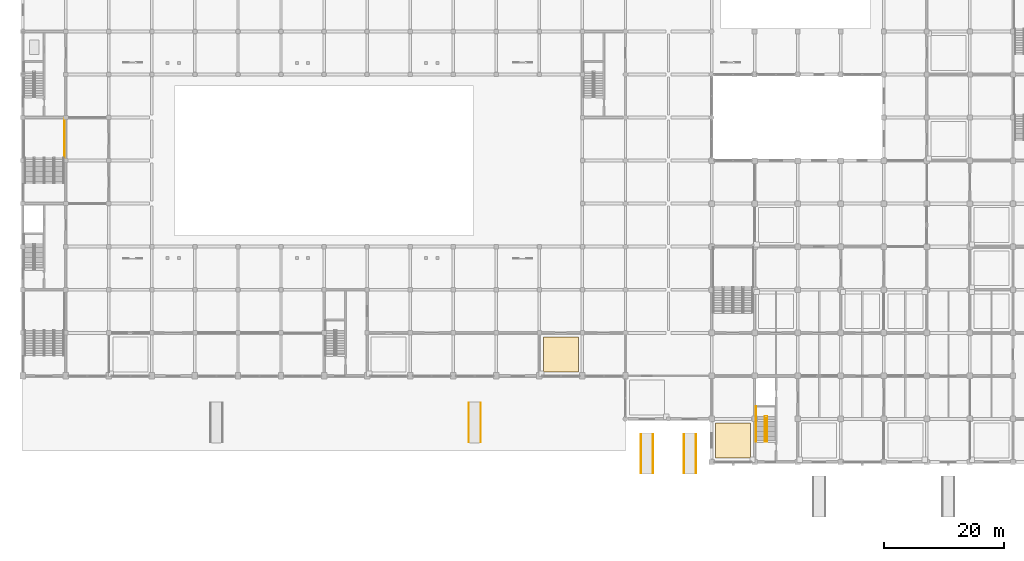
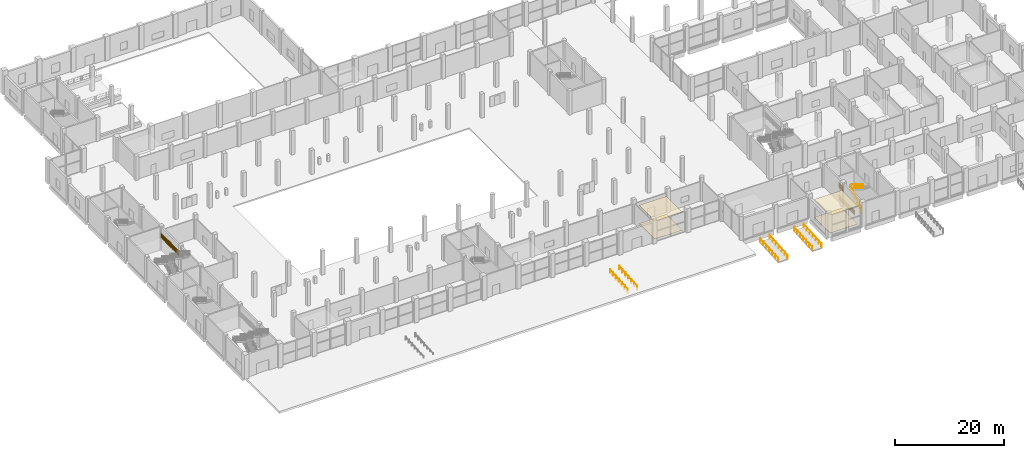
# One storey, part 60 of 70: 11 railings, 4 coverings.
"""IFC4 building model written with IfcOpenShell, lengths in metres."""

import ifcopenshell
import ifcopenshell.guid

model = None  # the IFC model being written
_history = None  # IfcOwnerHistory: only IFC2X3 demands one
_inside = {}  # id of a spatial element -> (the spatial element, [elements in it])
_under = {}  # id of a project, library or spatial element -> (it, [spatial elements below it])
_declared = {}  # id of a project -> (the project, [libraries it declares])
_typed = {}  # id of a type object -> (the type object, [elements of that type])
_made_of = {}  # id of a material, layer set ... -> (it, [elements and type objects made of it])


def new_model(schema):
    """Start an empty IFC model of exactly this schema.

    Asked for "IFC4X3", IfcOpenShell would pick the latest addendum, in which some entities
    have other attributes; the version numbers below select the first issue.
    IFC2X3 requires an IfcOwnerHistory on every rooted entity: one is made here for all.
    """
    global model, _history
    if schema == "IFC4X3":
        model = ifcopenshell.file(schema_version=(4, 3, 0, 0))
    else:
        model = ifcopenshell.file(schema=schema)
    _inside.clear()
    _under.clear()
    _declared.clear()
    _typed.clear()
    _made_of.clear()
    _history = None
    if model.schema == "IFC2X3":
        org = make("IfcOrganization", Name="unknown")
        user = make(
            "IfcPersonAndOrganization",
            ThePerson=make("IfcPerson", FamilyName="unknown"),
            TheOrganization=org,
        )
        app = make(
            "IfcApplication",
            ApplicationDeveloper=org,
            Version="unknown",
            ApplicationFullName="unknown",
            ApplicationIdentifier="unknown",
        )
        _history = make(
            "IfcOwnerHistory",
            OwningUser=user,
            OwningApplication=app,
            ChangeAction="ADDED",
            CreationDate=0,
        )
    return model


def make(cls, **values):
    """One entity of the class cls with the attributes given. An attribute that is None is left unset."""
    return model.create_entity(
        cls, **{name: value for name, value in values.items() if value is not None}
    )


def rooted(cls, **values):
    """An entity with a GlobalId (a new one), such as an element, a storey or a relation."""
    return make(cls, GlobalId=ifcopenshell.guid.new(), OwnerHistory=_history, **values)


def si_unit(unit_type, name, prefix=None):
    """IfcSIUnit, for example si_unit("LENGTHUNIT", "METRE", prefix="MILLI")."""
    return make("IfcSIUnit", UnitType=unit_type, Prefix=prefix, Name=name)


def assignment(units):
    """IfcUnitAssignment: the units of a project."""
    return None if units is None else make("IfcUnitAssignment", Units=units)


def point(xyz):
    """IfcCartesianPoint."""
    return None if xyz is None else make("IfcCartesianPoint", Coordinates=xyz)


def direction(xyz):
    """IfcDirection."""
    return None if xyz is None else make("IfcDirection", DirectionRatios=xyz)


def frame(location, z_axis=None, x_axis=None):
    """IfcAxis2Placement3D, a coordinate frame: its origin and axes. An axis left out is left unset."""
    return make(
        "IfcAxis2Placement3D",
        Location=point(location),
        Axis=direction(z_axis),
        RefDirection=direction(x_axis),
    )


def frame_2d(location, x_axis=None):
    """IfcAxis2Placement2D, a coordinate frame in the plane: its origin and x axis."""
    return make(
        "IfcAxis2Placement2D", Location=point(location), RefDirection=direction(x_axis)
    )


def origin():
    """The frame at (0, 0, 0) with its axes left unset."""
    return frame((0.0, 0.0, 0.0))


def origin_2d():
    """The frame at (0, 0) in the plane with its x axis left unset."""
    return frame_2d((0.0, 0.0))


def place(relative_to, where):
    """IfcLocalPlacement: puts the frame where relative to a parent placement (None: the world)."""
    return make(
        "IfcLocalPlacement", PlacementRelTo=relative_to, RelativePlacement=where
    )


def context(
    kind, dimensions, precision=None, world=None, true_north=None, identifier=None
):
    """IfcGeometricRepresentationContext, for example the 3D "Model" context."""
    return make(
        "IfcGeometricRepresentationContext",
        ContextIdentifier=identifier,
        ContextType=kind,
        CoordinateSpaceDimension=dimensions,
        Precision=precision,
        WorldCoordinateSystem=world,
        TrueNorth=true_north,
    )


def subcontext(parent, identifier, kind, view, scale=None):
    """IfcGeometricRepresentationSubContext, for example "Body" below "Model"."""
    return make(
        "IfcGeometricRepresentationSubContext",
        ContextIdentifier=identifier,
        ContextType=kind,
        ParentContext=parent,
        TargetScale=scale,
        TargetView=view,
    )


def project(units=None, contexts=None):
    """IfcProject with its units and contexts."""
    return rooted(
        "IfcProject",
        Name="project",
        RepresentationContexts=contexts,
        UnitsInContext=assignment(units),
    )


def spatial(cls, under=None, at=None, **own):
    """A site, building, storey or space (cls), placed at a placement, below another one or the project."""
    s = rooted(cls, ObjectPlacement=at, **own)
    if under is not None:
        _under.setdefault(under.id(), (under, []))[1].append(s)
    return s


def polyline(points):
    """IfcPolyline through the points."""
    return make("IfcPolyline", Points=[point(p) for p in points])


def profile(cls, at=None, kind="AREA", **sizes):
    """A parametric profile (cls). Its sizes go by their IFC names, for example OverallWidth=200.0."""
    return make(cls, ProfileType=kind, Position=at, **sizes)


def circle(**sizes):
    """IfcCircleProfileDef."""
    return profile("IfcCircleProfileDef", **sizes)


def outline(outer, holes=None, kind="AREA"):
    """IfcArbitraryClosedProfileDef: a profile drawn as a closed curve; with holes, ...WithVoids."""
    if holes is None:
        return make("IfcArbitraryClosedProfileDef", ProfileType=kind, OuterCurve=outer)
    return make(
        "IfcArbitraryProfileDefWithVoids",
        ProfileType=kind,
        OuterCurve=outer,
        InnerCurves=holes,
    )


def extrude(swept, where, along, depth):
    """IfcExtrudedAreaSolid: the profile swept, set in the frame where, extruded along a direction by depth."""
    return make(
        "IfcExtrudedAreaSolid",
        SweptArea=swept,
        Position=where,
        ExtrudedDirection=direction(along),
        Depth=depth,
    )


def shape(context_of_items, identifier, shape_type, items):
    """IfcShapeRepresentation: the items that make up one representation, for example the "Body"."""
    return make(
        "IfcShapeRepresentation",
        ContextOfItems=context_of_items,
        RepresentationIdentifier=identifier,
        RepresentationType=shape_type,
        Items=items,
    )


def material(Name=None, Category=None):
    """IfcMaterial."""
    return make("IfcMaterial", Name=Name, Category=Category)


def layer(
    of_material, thickness, ventilated=None, Name=None, Category=None, Priority=None
):
    """IfcMaterialLayer: one layer of a wall or slab, of a material (None: an air gap)."""
    return make(
        "IfcMaterialLayer",
        Material=of_material,
        LayerThickness=thickness,
        IsVentilated=ventilated,
        Name=Name,
        Category=Category,
        Priority=Priority,
    )


def layer_set(layers, Name=None):
    """IfcMaterialLayerSet."""
    return make("IfcMaterialLayerSet", MaterialLayers=layers, LayerSetName=Name)


def made_of(thing, what):
    """Note that an element or type object is made of a material, layer set ...; save() writes the relation."""
    if what is not None:
        _made_of.setdefault(what.id(), (what, []))[1].append(thing)
    return thing


def type_object(cls, material=None, **own):
    """A type object (cls), such as IfcWallType, which elements share."""
    return made_of(rooted(cls, **own), material)


def element(
    cls,
    number,
    at=None,
    inside=None,
    cuts=None,
    type_object=None,
    material=None,
    context=None,
    identifier="Body",
    shape_type=None,
    held_by="IfcProductDefinitionShape",
    body=None,
    shapes=None,
    **own,
):
    """One element of the class cls, such as IfcWall. Its Tag is "e" and its number.

    at: its placement. inside: the storey or other place that contains it. cuts: it is an
    opening in that element (IfcRelVoidsElement). A single representation is given by context,
    identifier, shape_type and body (its items); several are given by shapes. held_by: the class
    of the entity that holds the representations. save() writes the other relations.
    """
    e = rooted(cls, Tag="e%d" % number, ObjectPlacement=at, **own)
    if body is not None:
        shapes = [shape(context, identifier, shape_type, body)]
    if shapes is not None:
        e.Representation = make(held_by, Representations=shapes)
    if inside is not None:
        _inside.setdefault(inside.id(), (inside, []))[1].append(e)
    if cuts is not None:
        rooted(
            "IfcRelVoidsElement", RelatingBuildingElement=cuts, RelatedOpeningElement=e
        )
    if type_object is not None:
        _typed.setdefault(type_object.id(), (type_object, []))[1].append(e)
    return made_of(e, material)


def aggregate(whole, parts):
    """IfcRelAggregates: a whole, such as a stair, and the parts it consists of."""
    return rooted("IfcRelAggregates", RelatingObject=whole, RelatedObjects=parts)


def save(model, path):
    """Write the relations noted so far, then the file.

    IfcRelAggregates (storeys below a building ...), IfcRelContainedInSpatialStructure (elements
    in a storey), IfcRelDefinesByType, IfcRelAssociatesMaterial and IfcRelDeclares: one each for
    every whole, place, type object, material and project.
    """
    for whole, parts in _under.values():
        aggregate(whole, parts)
    for where, things in _inside.values():
        rooted(
            "IfcRelContainedInSpatialStructure",
            RelatedElements=things,
            RelatingStructure=where,
        )
    for kind, things in _typed.values():
        rooted("IfcRelDefinesByType", RelatedObjects=things, RelatingType=kind)
    for what, things in _made_of.values():
        rooted("IfcRelAssociatesMaterial", RelatedObjects=things, RelatingMaterial=what)
    for by, libraries in _declared.values():
        rooted("IfcRelDeclares", RelatingContext=by, RelatedDefinitions=libraries)
    model.write(path)


model = new_model("IFC4")

# Units and contexts
model_context = context("Model", 3, precision=1e-05, world=origin(), true_north=direction((0.0, 1.0)))
body_context = subcontext(model_context, "Body", "Model", "MODEL_VIEW")
ifc_project = project(units=[si_unit("LENGTHUNIT", "METRE"), si_unit("AREAUNIT", "SQUARE_METRE"), si_unit("VOLUMEUNIT", "CUBIC_METRE"), si_unit("PLANEANGLEUNIT", "RADIAN"), si_unit("MASSUNIT", "GRAM", prefix="KILO")], contexts=[model_context])

# Site, building, storey
site_placement = place(None, origin())
site = spatial("IfcSite", under=ifc_project, at=site_placement, CompositionType="ELEMENT")
building_placement = place(site_placement, origin())
building = spatial("IfcBuilding", under=site, at=building_placement, Name="Vesperath Aquatics Centre", CompositionType="ELEMENT")
storey_placement = place(building_placement, origin())
storey = spatial("IfcBuildingStorey", under=building, at=storey_placement, Name="L00", CompositionType="ELEMENT", Elevation=0.0)

# Coverings
ifc_material_1 = material(Name="Perforated moisture-resistant acoustic mineral-fibre ceiling", Category="gypsum")
ifc_layer_1 = layer(ifc_material_1, 0.044921875)
ifc_layer_set_1 = layer_set([ifc_layer_1], Name="Perforated moisture-resistant acoustic mineral-fibre ceiling")
covering_type_1 = type_object("IfcCoveringType", Name="CV-CLG01", PredefinedType="CEILING", material=ifc_layer_set_1)
covering_1_placement = place(storey_placement, frame((0.0, 0.0, 4.02490234375)))
element("IfcCovering", 1, at=covering_1_placement, inside=storey, type_object=covering_type_1, Name="Acoustic Suspended Ceiling CLG1 L00_FIRST_AID", PredefinedType="CEILING", context=body_context, shape_type="SweptSolid", body=[
    extrude(outline(polyline([(87.080078125, 15.080078125), (92.919921875, 15.080078125), (92.919921875, 20.919921875), (87.080078125, 20.919921875), (87.080078125, 15.080078125)])), origin(), (0.0, 0.0, 1.0), 0.045166015625),
])
covering_2_placement = place(storey_placement, frame((0.0, 0.0, 4.02490234375)))
element("IfcCovering", 2, at=covering_2_placement, inside=storey, type_object=covering_type_1, Name="Acoustic Suspended Ceiling CLG1 L00_CAFE", PredefinedType="CEILING", context=body_context, shape_type="SweptSolid", body=[
    extrude(outline(polyline([(115.8798828125, 0.679931640625), (121.719970703125, 0.679931640625), (121.719970703125, 6.52001953125), (115.8798828125, 6.52001953125), (115.8798828125, 0.679931640625)])), origin(), (0.0, 0.0, 1.0), 0.045166015625),
])
ifc_material_2 = material(Name="Slip-resistant vitrified ceramic and terrazzo flooring", Category="ceramic")
ifc_layer_2 = layer(ifc_material_2, 0.030029296875)
ifc_layer_set_2 = layer_set([ifc_layer_2], Name="Slip-resistant vitrified ceramic and terrazzo flooring")
covering_type_2 = type_object("IfcCoveringType", Name="CV-FLR01", PredefinedType="FLOORING", material=ifc_layer_set_2)
covering_3_placement = place(storey_placement, origin())
element("IfcCovering", 3, at=covering_3_placement, inside=storey, type_object=covering_type_2, Name="Slip-Resistant Floor Finish FLR1 L00_FIRST_AID", PredefinedType="FLOORING", context=body_context, shape_type="SweptSolid", body=[
    extrude(outline(polyline([(87.080078125, 15.080078125), (92.919921875, 15.080078125), (92.919921875, 20.919921875), (87.080078125, 20.919921875), (87.080078125, 15.080078125)])), origin(), (0.0, 0.0, 1.0), 0.030029296875),
])
covering_4_placement = place(storey_placement, origin())
element("IfcCovering", 4, at=covering_4_placement, inside=storey, type_object=covering_type_2, Name="Slip-Resistant Floor Finish FLR1 L00_CAFE", PredefinedType="FLOORING", context=body_context, shape_type="SweptSolid", body=[
    extrude(outline(polyline([(115.8798828125, 0.679931640625), (121.719970703125, 0.679931640625), (121.719970703125, 6.52001953125), (115.8798828125, 6.52001953125), (115.8798828125, 0.679931640625)])), origin(), (0.0, 0.0, 1.0), 0.030029296875),
])

# Railings
ifc_material_3 = material(Name="Powder-coated galvanized steel safety guard", Category="steel")
railing_type_1 = type_object("IfcRailingType", Name="RL-GRD01", PredefinedType="GUARDRAIL", material=ifc_material_3)
railing_1_placement = place(storey_placement, frame((122.6201171875, 7.659912109375, 2.699951171875)))
element("IfcRailing", 5, at=railing_1_placement, inside=storey, type_object=railing_type_1, Name="Stair ST5 Half-Landing Wall Guard GR02 L00", PredefinedType="GUARDRAIL", context=body_context, shape_type="SweptSolid", body=[
    extrude(circle(Radius=0.02392578125, at=origin_2d()), frame((0.0, 0.0, 1.0859375), z_axis=(0.0, 1.0, 0.0), x_axis=(-1.0, 0.0, 0.0)), (0.0, 0.0, 1.0), 1.60009765625),
    extrude(circle(Radius=0.01611328125, at=origin_2d()), frame((0.0, 0.0, 0.10009765625), z_axis=(0.0, 1.0, 0.0), x_axis=(-1.0, 0.0, 0.0)), (0.0, 0.0, 1.0), 1.60009765625),
    extrude(circle(Radius=0.01611328125, at=origin_2d()), frame((0.0, 0.0, 0.610595703125), z_axis=(0.0, 1.0, 0.0), x_axis=(-1.0, 0.0, 0.0)), (0.0, 0.0, 1.0), 1.60009765625),
    extrude(circle(Radius=0.009033203125, at=origin_2d()), frame((0.0, 0.106689453125, 0.10009765625)), (0.0, 0.0, 1.0), 0.9619140625),
    extrude(circle(Radius=0.009033203125, at=origin_2d()), frame((0.0, 0.21337890625, 0.10009765625)), (0.0, 0.0, 1.0), 0.9619140625),
    extrude(circle(Radius=0.009033203125, at=origin_2d()), frame((0.0, 0.320068359375, 0.10009765625)), (0.0, 0.0, 1.0), 0.9619140625),
    extrude(circle(Radius=0.009033203125, at=origin_2d()), frame((0.0, 0.4267578125, 0.10009765625)), (0.0, 0.0, 1.0), 0.9619140625),
    extrude(circle(Radius=0.009033203125, at=origin_2d()), frame((0.0, 0.533447265625, 0.10009765625)), (0.0, 0.0, 1.0), 0.9619140625),
    extrude(circle(Radius=0.009033203125, at=origin_2d()), frame((0.0, 0.64013671875, 0.10009765625)), (0.0, 0.0, 1.0), 0.9619140625),
    extrude(circle(Radius=0.009033203125, at=origin_2d()), frame((0.0, 0.746826171875, 0.10009765625)), (0.0, 0.0, 1.0), 0.9619140625),
    extrude(circle(Radius=0.009033203125, at=origin_2d()), frame((0.0, 0.853271484375, 0.10009765625)), (0.0, 0.0, 1.0), 0.9619140625),
    extrude(circle(Radius=0.009033203125, at=origin_2d()), frame((0.0, 0.9599609375, 0.10009765625)), (0.0, 0.0, 1.0), 0.9619140625),
    extrude(circle(Radius=0.009033203125, at=origin_2d()), frame((0.0, 1.066650390625, 0.10009765625)), (0.0, 0.0, 1.0), 0.9619140625),
    extrude(circle(Radius=0.009033203125, at=origin_2d()), frame((0.0, 1.17333984375, 0.10009765625)), (0.0, 0.0, 1.0), 0.9619140625),
    extrude(circle(Radius=0.009033203125, at=origin_2d()), frame((0.0, 1.280029296875, 0.10009765625)), (0.0, 0.0, 1.0), 0.9619140625),
    extrude(circle(Radius=0.009033203125, at=origin_2d()), frame((0.0, 1.38671875, 0.10009765625)), (0.0, 0.0, 1.0), 0.9619140625),
    extrude(circle(Radius=0.009033203125, at=origin_2d()), frame((0.0, 1.493408203125, 0.10009765625)), (0.0, 0.0, 1.0), 0.9619140625),
    extrude(circle(Radius=0.02197265625, at=origin_2d()), origin(), (0.0, 0.0, 1.0), 1.0859375),
    extrude(circle(Radius=0.02197265625, at=origin_2d()), frame((0.0, 0.800048828125, 0.0)), (0.0, 0.0, 1.0), 1.0859375),
    extrude(circle(Radius=0.02197265625, at=origin_2d()), frame((0.0, 1.60009765625, 0.0)), (0.0, 0.0, 1.0), 1.0859375),
])
railing_2_placement = place(storey_placement, frame((122.6201171875, 3.39990234375, 0.0)))
element("IfcRailing", 6, at=railing_2_placement, inside=storey, type_object=railing_type_1, Name="Stair ST5 Shaft Side Guard GR02 L00", PredefinedType="GUARDRAIL", context=body_context, shape_type="SweptSolid", body=[
    extrude(circle(Radius=0.02392578125, at=origin_2d()), frame((0.0, 0.0, 1.0859375), z_axis=(0.0, 1.0, 0.0), x_axis=(-1.0, 0.0, 0.0)), (0.0, 0.0, 1.0), 5.840087890625),
    extrude(circle(Radius=0.01611328125, at=origin_2d()), frame((0.0, 0.0, 0.10009765625), z_axis=(0.0, 1.0, 0.0), x_axis=(-1.0, 0.0, 0.0)), (0.0, 0.0, 1.0), 5.840087890625),
    extrude(circle(Radius=0.01611328125, at=origin_2d()), frame((0.0, 0.0, 0.610595703125), z_axis=(0.0, 1.0, 0.0), x_axis=(-1.0, 0.0, 0.0)), (0.0, 0.0, 1.0), 5.840087890625),
    extrude(circle(Radius=0.009033203125, at=origin_2d()), frame((0.0, 0.108154296875, 0.10009765625)), (0.0, 0.0, 1.0), 0.9619140625),
    extrude(circle(Radius=0.009033203125, at=origin_2d()), frame((0.0, 0.324462890625, 0.10009765625)), (0.0, 0.0, 1.0), 0.9619140625),
    extrude(circle(Radius=0.009033203125, at=origin_2d()), frame((0.0, 0.540771484375, 0.10009765625)), (0.0, 0.0, 1.0), 0.9619140625),
    extrude(circle(Radius=0.009033203125, at=origin_2d()), frame((0.0, 0.757080078125, 0.10009765625)), (0.0, 0.0, 1.0), 0.9619140625),
    extrude(circle(Radius=0.009033203125, at=origin_2d()), frame((0.0, 0.973388671875, 0.10009765625)), (0.0, 0.0, 1.0), 0.9619140625),
    extrude(circle(Radius=0.009033203125, at=origin_2d()), frame((0.0, 1.189697265625, 0.10009765625)), (0.0, 0.0, 1.0), 0.9619140625),
    extrude(circle(Radius=0.009033203125, at=origin_2d()), frame((0.0, 1.406005859375, 0.10009765625)), (0.0, 0.0, 1.0), 0.9619140625),
    extrude(circle(Radius=0.009033203125, at=origin_2d()), frame((0.0, 1.622314453125, 0.10009765625)), (0.0, 0.0, 1.0), 0.9619140625),
    extrude(circle(Radius=0.009033203125, at=origin_2d()), frame((0.0, 1.838623046875, 0.10009765625)), (0.0, 0.0, 1.0), 0.9619140625),
    extrude(circle(Radius=0.009033203125, at=origin_2d()), frame((0.0, 2.054931640625, 0.10009765625)), (0.0, 0.0, 1.0), 0.9619140625),
    extrude(circle(Radius=0.009033203125, at=origin_2d()), frame((0.0, 2.271240234375, 0.10009765625)), (0.0, 0.0, 1.0), 0.9619140625),
    extrude(circle(Radius=0.009033203125, at=origin_2d()), frame((0.0, 2.487548828125, 0.10009765625)), (0.0, 0.0, 1.0), 0.9619140625),
    extrude(circle(Radius=0.009033203125, at=origin_2d()), frame((0.0, 2.703857421875, 0.10009765625)), (0.0, 0.0, 1.0), 0.9619140625),
    extrude(circle(Radius=0.009033203125, at=origin_2d()), frame((0.0, 2.919921875, 0.10009765625)), (0.0, 0.0, 1.0), 0.9619140625),
    extrude(circle(Radius=0.009033203125, at=origin_2d()), frame((0.0, 3.13623046875, 0.10009765625)), (0.0, 0.0, 1.0), 0.9619140625),
    extrude(circle(Radius=0.009033203125, at=origin_2d()), frame((0.0, 3.3525390625, 0.10009765625)), (0.0, 0.0, 1.0), 0.9619140625),
    extrude(circle(Radius=0.009033203125, at=origin_2d()), frame((0.0, 3.56884765625, 0.10009765625)), (0.0, 0.0, 1.0), 0.9619140625),
    extrude(circle(Radius=0.009033203125, at=origin_2d()), frame((0.0, 3.78515625, 0.10009765625)), (0.0, 0.0, 1.0), 0.9619140625),
    extrude(circle(Radius=0.009033203125, at=origin_2d()), frame((0.0, 4.00146484375, 0.10009765625)), (0.0, 0.0, 1.0), 0.9619140625),
    extrude(circle(Radius=0.009033203125, at=origin_2d()), frame((0.0, 4.2177734375, 0.10009765625)), (0.0, 0.0, 1.0), 0.9619140625),
    extrude(circle(Radius=0.009033203125, at=origin_2d()), frame((0.0, 4.43408203125, 0.10009765625)), (0.0, 0.0, 1.0), 0.9619140625),
    extrude(circle(Radius=0.009033203125, at=origin_2d()), frame((0.0, 4.650390625, 0.10009765625)), (0.0, 0.0, 1.0), 0.9619140625),
    extrude(circle(Radius=0.009033203125, at=origin_2d()), frame((0.0, 4.86669921875, 0.10009765625)), (0.0, 0.0, 1.0), 0.9619140625),
    extrude(circle(Radius=0.009033203125, at=origin_2d()), frame((0.0, 5.0830078125, 0.10009765625)), (0.0, 0.0, 1.0), 0.9619140625),
    extrude(circle(Radius=0.009033203125, at=origin_2d()), frame((0.0, 5.29931640625, 0.10009765625)), (0.0, 0.0, 1.0), 0.9619140625),
    extrude(circle(Radius=0.009033203125, at=origin_2d()), frame((0.0, 5.515625, 0.10009765625)), (0.0, 0.0, 1.0), 0.9619140625),
    extrude(circle(Radius=0.009033203125, at=origin_2d()), frame((0.0, 5.73193359375, 0.10009765625)), (0.0, 0.0, 1.0), 0.9619140625),
    extrude(circle(Radius=0.02197265625, at=origin_2d()), origin(), (0.0, 0.0, 1.0), 1.0859375),
    extrude(circle(Radius=0.02197265625, at=origin_2d()), frame((0.0, 1.16796875, 0.0)), (0.0, 0.0, 1.0), 1.0859375),
    extrude(circle(Radius=0.02197265625, at=origin_2d()), frame((0.0, 2.3359375, 0.0)), (0.0, 0.0, 1.0), 1.0859375),
    extrude(circle(Radius=0.02197265625, at=origin_2d()), frame((0.0, 3.504150390625, 0.0)), (0.0, 0.0, 1.0), 1.0859375),
    extrude(circle(Radius=0.02197265625, at=origin_2d()), frame((0.0, 4.672119140625, 0.0)), (0.0, 0.0, 1.0), 1.0859375),
    extrude(circle(Radius=0.02197265625, at=origin_2d()), frame((0.0, 5.840087890625, 0.0)), (0.0, 0.0, 1.0), 1.0859375),
])
railing_3_placement = place(storey_placement, frame((6.97998046875, 50.860107421875, 2.699951171875)))
element("IfcRailing", 7, at=railing_3_placement, inside=storey, type_object=railing_type_1, Name="Stair ST11B Half-Landing Wall Guard GR02 L00", PredefinedType="GUARDRAIL", context=body_context, shape_type="SweptSolid", body=[
    extrude(circle(Radius=0.02392578125, at=origin_2d()), frame((0.0, 0.0, 1.0859375), z_axis=(0.0, 1.0, 0.0), x_axis=(-1.0, 0.0, 0.0)), (0.0, 0.0, 1.0), 6.60986328125),
    extrude(circle(Radius=0.01611328125, at=origin_2d()), frame((0.0, 0.0, 0.10009765625), z_axis=(0.0, 1.0, 0.0), x_axis=(-1.0, 0.0, 0.0)), (0.0, 0.0, 1.0), 6.60986328125),
    extrude(circle(Radius=0.01611328125, at=origin_2d()), frame((0.0, 0.0, 0.610595703125), z_axis=(0.0, 1.0, 0.0), x_axis=(-1.0, 0.0, 0.0)), (0.0, 0.0, 1.0), 6.60986328125),
    extrude(circle(Radius=0.009033203125, at=origin_2d()), frame((0.0, 0.1083984375, 0.10009765625)), (0.0, 0.0, 1.0), 0.9619140625),
    extrude(circle(Radius=0.009033203125, at=origin_2d()), frame((0.0, 0.3251953125, 0.10009765625)), (0.0, 0.0, 1.0), 0.9619140625),
    extrude(circle(Radius=0.009033203125, at=origin_2d()), frame((0.0, 0.541748046875, 0.10009765625)), (0.0, 0.0, 1.0), 0.9619140625),
    extrude(circle(Radius=0.009033203125, at=origin_2d()), frame((0.0, 0.758544921875, 0.10009765625)), (0.0, 0.0, 1.0), 0.9619140625),
    extrude(circle(Radius=0.009033203125, at=origin_2d()), frame((0.0, 0.975341796875, 0.10009765625)), (0.0, 0.0, 1.0), 0.9619140625),
    extrude(circle(Radius=0.009033203125, at=origin_2d()), frame((0.0, 1.19189453125, 0.10009765625)), (0.0, 0.0, 1.0), 0.9619140625),
    extrude(circle(Radius=0.009033203125, at=origin_2d()), frame((0.0, 1.40869140625, 0.10009765625)), (0.0, 0.0, 1.0), 0.9619140625),
    extrude(circle(Radius=0.009033203125, at=origin_2d()), frame((0.0, 1.62548828125, 0.10009765625)), (0.0, 0.0, 1.0), 0.9619140625),
    extrude(circle(Radius=0.009033203125, at=origin_2d()), frame((0.0, 1.842041015625, 0.10009765625)), (0.0, 0.0, 1.0), 0.9619140625),
    extrude(circle(Radius=0.009033203125, at=origin_2d()), frame((0.0, 2.058837890625, 0.10009765625)), (0.0, 0.0, 1.0), 0.9619140625),
    extrude(circle(Radius=0.009033203125, at=origin_2d()), frame((0.0, 2.275634765625, 0.10009765625)), (0.0, 0.0, 1.0), 0.9619140625),
    extrude(circle(Radius=0.009033203125, at=origin_2d()), frame((0.0, 2.4921875, 0.10009765625)), (0.0, 0.0, 1.0), 0.9619140625),
    extrude(circle(Radius=0.009033203125, at=origin_2d()), frame((0.0, 2.708984375, 0.10009765625)), (0.0, 0.0, 1.0), 0.9619140625),
    extrude(circle(Radius=0.009033203125, at=origin_2d()), frame((0.0, 2.92578125, 0.10009765625)), (0.0, 0.0, 1.0), 0.9619140625),
    extrude(circle(Radius=0.009033203125, at=origin_2d()), frame((0.0, 3.142333984375, 0.10009765625)), (0.0, 0.0, 1.0), 0.9619140625),
    extrude(circle(Radius=0.009033203125, at=origin_2d()), frame((0.0, 3.359130859375, 0.10009765625)), (0.0, 0.0, 1.0), 0.9619140625),
    extrude(circle(Radius=0.009033203125, at=origin_2d()), frame((0.0, 3.575927734375, 0.10009765625)), (0.0, 0.0, 1.0), 0.9619140625),
    extrude(circle(Radius=0.009033203125, at=origin_2d()), frame((0.0, 3.79248046875, 0.10009765625)), (0.0, 0.0, 1.0), 0.9619140625),
    extrude(circle(Radius=0.009033203125, at=origin_2d()), frame((0.0, 4.00927734375, 0.10009765625)), (0.0, 0.0, 1.0), 0.9619140625),
    extrude(circle(Radius=0.009033203125, at=origin_2d()), frame((0.0, 4.22607421875, 0.10009765625)), (0.0, 0.0, 1.0), 0.9619140625),
    extrude(circle(Radius=0.009033203125, at=origin_2d()), frame((0.0, 4.442626953125, 0.10009765625)), (0.0, 0.0, 1.0), 0.9619140625),
    extrude(circle(Radius=0.009033203125, at=origin_2d()), frame((0.0, 4.659423828125, 0.10009765625)), (0.0, 0.0, 1.0), 0.9619140625),
    extrude(circle(Radius=0.009033203125, at=origin_2d()), frame((0.0, 4.876220703125, 0.10009765625)), (0.0, 0.0, 1.0), 0.9619140625),
    extrude(circle(Radius=0.009033203125, at=origin_2d()), frame((0.0, 5.0927734375, 0.10009765625)), (0.0, 0.0, 1.0), 0.9619140625),
    extrude(circle(Radius=0.009033203125, at=origin_2d()), frame((0.0, 5.3095703125, 0.10009765625)), (0.0, 0.0, 1.0), 0.9619140625),
    extrude(circle(Radius=0.009033203125, at=origin_2d()), frame((0.0, 5.5263671875, 0.10009765625)), (0.0, 0.0, 1.0), 0.9619140625),
    extrude(circle(Radius=0.009033203125, at=origin_2d()), frame((0.0, 5.742919921875, 0.10009765625)), (0.0, 0.0, 1.0), 0.9619140625),
    extrude(circle(Radius=0.009033203125, at=origin_2d()), frame((0.0, 5.959716796875, 0.10009765625)), (0.0, 0.0, 1.0), 0.9619140625),
    extrude(circle(Radius=0.009033203125, at=origin_2d()), frame((0.0, 6.176513671875, 0.10009765625)), (0.0, 0.0, 1.0), 0.9619140625),
    extrude(circle(Radius=0.009033203125, at=origin_2d()), frame((0.0, 6.39306640625, 0.10009765625)), (0.0, 0.0, 1.0), 0.9619140625),
    extrude(circle(Radius=0.02197265625, at=origin_2d()), origin(), (0.0, 0.0, 1.0), 1.0859375),
    extrude(circle(Radius=0.02197265625, at=origin_2d()), frame((0.0, 1.1015625, 0.0)), (0.0, 0.0, 1.0), 1.0859375),
    extrude(circle(Radius=0.02197265625, at=origin_2d()), frame((0.0, 2.203369140625, 0.0)), (0.0, 0.0, 1.0), 1.0859375),
    extrude(circle(Radius=0.02197265625, at=origin_2d()), frame((0.0, 3.304931640625, 0.0)), (0.0, 0.0, 1.0), 1.0859375),
    extrude(circle(Radius=0.02197265625, at=origin_2d()), frame((0.0, 4.406494140625, 0.0)), (0.0, 0.0, 1.0), 1.0859375),
    extrude(circle(Radius=0.02197265625, at=origin_2d()), frame((0.0, 5.50830078125, 0.0)), (0.0, 0.0, 1.0), 1.0859375),
    extrude(circle(Radius=0.02197265625, at=origin_2d()), frame((0.0, 6.60986328125, 0.0)), (0.0, 0.0, 1.0), 1.0859375),
])
ifc_material_4 = material(Name="Brushed stainless steel tubular handrail", Category="steel")
railing_type_2 = type_object("IfcRailingType", Name="RL-HND01", PredefinedType="HANDRAIL", material=ifc_material_4)
railing_4_placement = place(storey_placement, frame((124.14990234375, 3.419921875, 0.168701171875)))
element("IfcRailing", 8, at=railing_4_placement, inside=storey, type_object=railing_type_2, Name="Stair ST5 Flight 1 Handrail HR01 L00", PredefinedType="HANDRAIL", context=body_context, shape_type="SweptSolid", body=[
    extrude(circle(Radius=0.02392578125, at=origin_2d()), frame((0.0, 0.0, 0.8759765625), z_axis=(0.0, 0.856489757249, 0.516164020179), x_axis=(-1.0, 0.0, 0.0)), (0.0, 0.0, 1.0), 4.904052734375),
    extrude(circle(Radius=0.02197265625, at=origin_2d()), origin(), (0.0, 0.0, 1.0), 0.8759765625),
    extrude(circle(Radius=0.02197265625, at=origin_2d()), frame((0.0, 0.840087890625, 0.50634765625)), (0.0, 0.0, 1.0), 0.8759765625),
    extrude(circle(Radius=0.02197265625, at=origin_2d()), frame((0.0, 1.68017578125, 1.012451171875)), (0.0, 0.0, 1.0), 0.8759765625),
    extrude(circle(Radius=0.02197265625, at=origin_2d()), frame((0.0, 2.52001953125, 1.518798828125)), (0.0, 0.0, 1.0), 0.8759765625),
    extrude(circle(Radius=0.02197265625, at=origin_2d()), frame((0.0, 3.360107421875, 2.02490234375)), (0.0, 0.0, 1.0), 0.8759765625),
    extrude(circle(Radius=0.02197265625, at=origin_2d()), frame((0.0, 4.2001953125, 2.53125)), (0.0, 0.0, 1.0), 0.8759765625),
])
railing_5_placement = place(storey_placement, frame((124.469970703125, 7.6201171875, 2.86865234375)))
element("IfcRailing", 9, at=railing_5_placement, inside=storey, type_object=railing_type_2, Name="Stair ST5 Flight 2 Handrail HR01 L00", PredefinedType="HANDRAIL", context=body_context, shape_type="SweptSolid", body=[
    extrude(circle(Radius=0.02392578125, at=origin_2d()), frame((0.0, 0.0, 0.8759765625), z_axis=(0.0, -0.856489757249, 0.516164020179), x_axis=(1.0, 0.0, 0.0)), (0.0, 0.0, 1.0), 4.904052734375),
    extrude(circle(Radius=0.02197265625, at=origin_2d()), origin(), (0.0, 0.0, 1.0), 0.8759765625),
    extrude(circle(Radius=0.02197265625, at=origin_2d()), frame((0.0, -0.840087890625, 0.50634765625)), (0.0, 0.0, 1.0), 0.8759765625),
    extrude(circle(Radius=0.02197265625, at=origin_2d()), frame((0.0, -1.68017578125, 1.012451171875)), (0.0, 0.0, 1.0), 0.8759765625),
    extrude(circle(Radius=0.02197265625, at=origin_2d()), frame((0.0, -2.52001953125, 1.518798828125)), (0.0, 0.0, 1.0), 0.8759765625),
    extrude(circle(Radius=0.02197265625, at=origin_2d()), frame((0.0, -3.360107421875, 2.02490234375)), (0.0, 0.0, 1.0), 0.8759765625),
    extrude(circle(Radius=0.02197265625, at=origin_2d()), frame((0.0, -4.2001953125, 2.53125)), (0.0, 0.0, 1.0), 0.8759765625),
])
ifc_material_5 = material(Name="Brushed stainless steel ramp handrail", Category="steel")
railing_type_3 = type_object("IfcRailingType", Name="RL-HND02", PredefinedType="HANDRAIL", material=ifc_material_5)
for number, where, name in (
    (10, (103.39990234375, -1.85009765625, -0.449951171875), "Accessible Ramp Handrail HR02 RMP_FC_W-L"),
    (11, (105.39990234375, -1.85009765625, -0.449951171875), "Accessible Ramp Handrail HR02 RMP_FC_W-R"),
    (12, (110.60009765625, -1.85009765625, -0.449951171875), "Accessible Ramp Handrail HR02 RMP_FC_E-L"),
    (13, (112.60009765625, -1.85009765625, -0.449951171875), "Accessible Ramp Handrail HR02 RMP_FC_E-R"),
    (14, (74.60009765625, 3.35009765625, -0.449951171875), "Accessible Ramp Handrail HR02 RMP_V1_E-L"),
    (15, (76.60009765625, 3.35009765625, -0.449951171875), "Accessible Ramp Handrail HR02 RMP_V1_E-R"),
):
    element("IfcRailing", number, at=place(storey_placement, frame(where)), inside=storey, type_object=railing_type_3, Name=name, PredefinedType="HANDRAIL", context=body_context, shape_type="SweptSolid", body=[
        extrude(circle(Radius=0.02392578125, at=origin_2d()), frame((0.0, 0.0, 0.8759765625), z_axis=(0.0, 0.997612646808, 0.069057996847), x_axis=(-1.0, 0.0, 0.0)), (0.0, 0.0, 1.0), 6.515625),
        extrude(circle(Radius=0.02197265625, at=origin_2d()), origin(), (0.0, 0.0, 1.0), 0.8759765625),
        extrude(circle(Radius=0.02197265625, at=origin_2d()), frame((0.0, 1.083251953125, 0.074951171875)), (0.0, 0.0, 1.0), 0.8759765625),
        extrude(circle(Radius=0.02197265625, at=origin_2d()), frame((0.0, 2.166748046875, 0.14990234375)), (0.0, 0.0, 1.0), 0.8759765625),
        extrude(circle(Radius=0.02197265625, at=origin_2d()), frame((0.0, 3.25, 0.22509765625)), (0.0, 0.0, 1.0), 0.8759765625),
        extrude(circle(Radius=0.02197265625, at=origin_2d()), frame((0.0, 4.333251953125, 0.300048828125)), (0.0, 0.0, 1.0), 0.8759765625),
        extrude(circle(Radius=0.02197265625, at=origin_2d()), frame((0.0, 5.416748046875, 0.375)), (0.0, 0.0, 1.0), 0.8759765625),
        extrude(circle(Radius=0.02197265625, at=origin_2d()), frame((0.0, 6.5, 0.449951171875)), (0.0, 0.0, 1.0), 0.8759765625),
    ])

save(model, "model.ifc")
